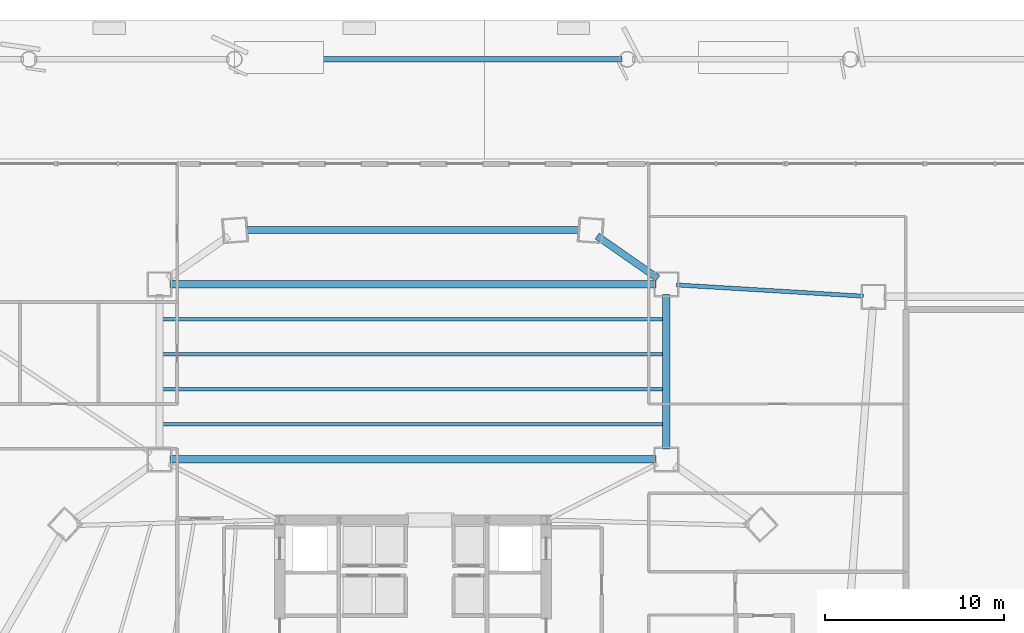
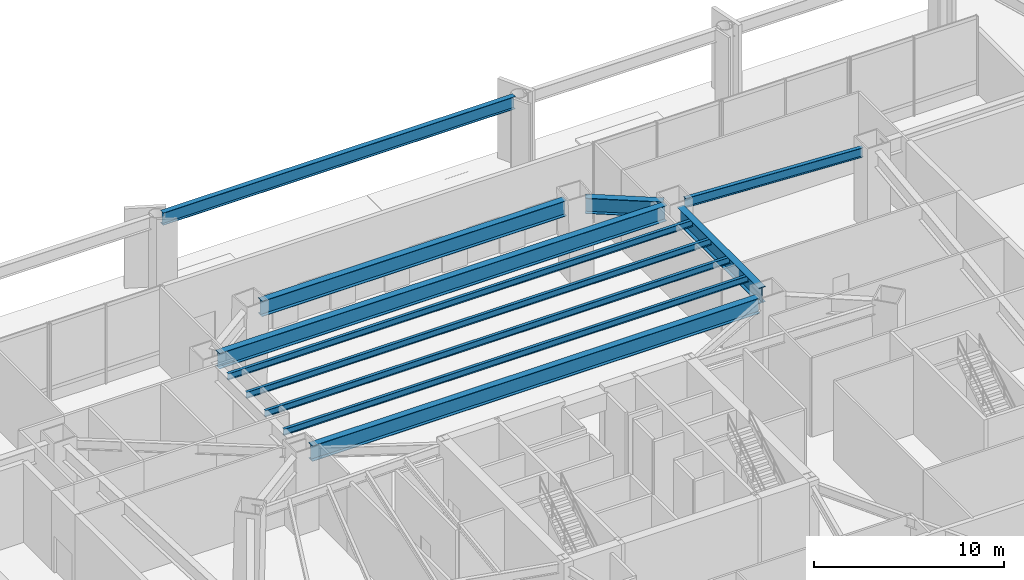
# One storey, part 6 of 19: 11 beams.
"""IFC4 building model written with IfcOpenShell, lengths in metres."""

from ifc_helpers import new_model, si_unit, direction, frame, origin, origin_2d, place, context, subcontext, project, spatial, i_section, extrude, source, transform, mapped, material, material_profile, profile_set, type_object, type_shapes, element, save


model = new_model("IFC4")

# Units and contexts
model_context = context("Model", 3, precision=1e-05, world=origin(), true_north=direction((0.0, 1.0)))
body_context = subcontext(model_context, "Body", "Model", "MODEL_VIEW")
ifc_project = project(units=[si_unit("LENGTHUNIT", "METRE"), si_unit("AREAUNIT", "SQUARE_METRE"), si_unit("VOLUMEUNIT", "CUBIC_METRE"), si_unit("PLANEANGLEUNIT", "RADIAN"), si_unit("MASSUNIT", "GRAM", prefix="KILO")], contexts=[model_context])

# Site, building, storey
site_placement = place(None, origin())
site = spatial("IfcSite", under=ifc_project, at=site_placement, CompositionType="ELEMENT")
building_placement = place(site_placement, origin())
building = spatial("IfcBuilding", under=site, at=building_placement, Name="Caelisora Broadcast Tower", CompositionType="ELEMENT")
storey_placement = place(building_placement, origin())
storey = spatial("IfcBuildingStorey", under=building, at=storey_placement, Name="L00", CompositionType="ELEMENT", Elevation=0.0)

# Beams
ifc_material_1 = material(Name="Steel Grade 350 (AS/NZS 3679.2)", Category="steel")
ifc_material_profile_1 = material_profile(ifc_material_1, i_section(OverallWidth=0.300048828125, OverallDepth=0.800048828125, WebThickness=0.013916015625, FlangeThickness=0.02392578125, at=origin_2d()), Name="Steel Grade 350 (AS/NZS 3679.2)")
ifc_profile_set_1 = profile_set([ifc_material_profile_1], Name="Steel Grade 350 (AS/NZS 3679.2)")
beam_type_1 = type_object("IfcBeamType", Name="PG02", PredefinedType="BEAM", material=ifc_profile_set_1)
shared_shape_1 = source(origin(), body_context, "Body", "SweptSolid", [
    extrude(i_section(OverallWidth=0.300048828125, OverallDepth=0.800048828125, WebThickness=0.013916015625, FlangeThickness=0.02392578125, at=origin_2d()), origin(), (0.0, 0.0, 1.0), 21.39990234375),
])
type_shapes(beam_type_1, [shared_shape_1])
beam_1_placement = place(storey_placement, frame((28.300048828125, 55.800048828125, 4.679931640625), z_axis=(1.0, 0.0, 0.0), x_axis=(0.0, 1.0, 0.0)))
element("IfcBeam", 1, at=beam_1_placement, inside=storey, type_object=beam_type_1, Name="L00 beam PG02", PredefinedType="BEAM", context=body_context, shape_type="MappedRepresentation", body=[
    mapped(shared_shape_1, transform((0.0, 0.0, 0.0), scale=1.0)),
])
ifc_material_2 = material(Name="Steel Grade 350 (AS/NZS 3679.1)", Category="steel")
ifc_material_profile_2 = material_profile(ifc_material_2, i_section(OverallWidth=0.22900390625, OverallDepth=0.611572265625, WebThickness=0.011962890625, FlangeThickness=0.01953125, at=origin_2d()), Name="Steel Grade 350 (AS/NZS 3679.1)")
ifc_profile_set_2 = profile_set([ifc_material_profile_2], Name="Steel Grade 350 (AS/NZS 3679.1)")
beam_type_2 = type_object("IfcBeamType", Name="PG03", PredefinedType="BEAM", material=ifc_profile_set_2)
shared_shape_2 = source(origin(), body_context, "Body", "SweptSolid", [
    extrude(i_section(OverallWidth=0.22900390625, OverallDepth=0.611572265625, WebThickness=0.011962890625, FlangeThickness=0.01953125, at=origin_2d()), origin(), (0.0, 0.0, 1.0), 10.472412109375),
])
type_shapes(beam_type_2, [shared_shape_2])
beam_2_placement = place(storey_placement, frame((52.767822265625, 43.1650390625, 4.774169921875), z_axis=(0.998188109477, -0.060170575018, 0.0), x_axis=(0.060170575018, 0.998188109477, 0.0)))
element("IfcBeam", 2, at=beam_2_placement, inside=storey, type_object=beam_type_2, Name="L00 beam PG03", PredefinedType="BEAM", context=body_context, shape_type="MappedRepresentation", body=[
    mapped(shared_shape_2, transform((0.0, 0.0, 0.0), scale=1.0)),
])
ifc_material_profile_3 = material_profile(ifc_material_1, i_section(OverallWidth=0.39990234375, OverallDepth=1.0, WebThickness=0.01611328125, FlangeThickness=0.028076171875, at=origin_2d()), Name="Steel Grade 350 (AS/NZS 3679.2)")
ifc_profile_set_3 = profile_set([ifc_material_profile_3], Name="Steel Grade 350 (AS/NZS 3679.2)")
beam_type_3 = type_object("IfcBeamType", Name="PG01", PredefinedType="BEAM", material=ifc_profile_set_3)
shared_shape_3 = source(origin(), body_context, "Body", "SweptSolid", [
    extrude(i_section(OverallWidth=0.39990234375, OverallDepth=1.0, WebThickness=0.01611328125, FlangeThickness=0.028076171875, at=origin_2d()), origin(), (0.0, 0.0, 1.0), 27.2177734375),
])
for number, where, z_axis, x_axis, name in (
    (3, (24.39111328125, 43.199951171875, 4.580078125), (1.0, 0.0, 0.0), (0.0, 1.0, 0.0), "L00 beam PG01"),
    (4, (24.39111328125, 33.39990234375, 4.580078125), (1.0, 0.0, 0.0), (0.0, 1.0, 0.0), "L00 beam PG01"),
):
    element("IfcBeam", number, at=place(storey_placement, frame(where, z_axis=z_axis, x_axis=x_axis)), inside=storey, type_object=beam_type_3, Name=name, PredefinedType="BEAM", context=body_context, shape_type="MappedRepresentation", body=[
        mapped(shared_shape_3, transform((0.0, 0.0, 0.0), scale=1.0)),
    ])
shared_shape_4 = source(origin(), body_context, "Body", "SweptSolid", [
    extrude(i_section(OverallWidth=0.39990234375, OverallDepth=1.0, WebThickness=0.01611328125, FlangeThickness=0.028076171875, at=origin_2d()), origin(), (0.0, 0.0, 1.0), 8.64013671875),
])
beam_3_placement = place(storey_placement, frame((52.18896484375, 33.97998046875, 4.580078125), z_axis=(0.0, 1.0, 0.0), x_axis=(-1.0, 0.0, 0.0)))
element("IfcBeam", 5, at=beam_3_placement, inside=storey, type_object=beam_type_3, Name="L00 beam PG01", PredefinedType="BEAM", context=body_context, shape_type="MappedRepresentation", body=[
    mapped(shared_shape_4, transform((0.0, 0.0, 0.0), scale=1.0)),
])
ifc_material_profile_4 = material_profile(ifc_material_2, i_section(OverallWidth=0.177978515625, OverallDepth=0.406494140625, WebThickness=0.0078125, FlangeThickness=0.0126953125, at=origin_2d()), Name="Steel Grade 350 (AS/NZS 3679.1)")
ifc_profile_set_4 = profile_set([ifc_material_profile_4], Name="Steel Grade 350 (AS/NZS 3679.1)")
beam_type_4 = type_object("IfcBeamType", Name="SB01", PredefinedType="JOIST", material=ifc_profile_set_4)
shared_shape_5 = source(origin(), body_context, "Body", "SweptSolid", [
    extrude(i_section(OverallWidth=0.177978515625, OverallDepth=0.406494140625, WebThickness=0.0078125, FlangeThickness=0.0126953125, at=origin_2d()), origin(), (0.0, 0.0, 1.0), 28.2578125),
])
type_shapes(beam_type_4, [shared_shape_5])
for number, where, z_axis, x_axis, name in (
    (6, (23.87109375, 35.360107421875, 4.876708984375), (1.0, 0.0, 0.0), (0.0, 1.0, 0.0), "L00 beam SB01"),
    (7, (23.87109375, 37.320068359375, 4.876708984375), (1.0, 0.0, 0.0), (0.0, 1.0, 0.0), "L00 beam SB01"),
    (8, (23.87109375, 39.280029296875, 4.876708984375), (1.0, 0.0, 0.0), (0.0, 1.0, 0.0), "L00 beam SB01"),
    (9, (23.87109375, 41.239990234375, 4.876708984375), (1.0, 0.0, 0.0), (0.0, 1.0, 0.0), "L00 beam SB01"),
):
    element("IfcBeam", number, at=place(storey_placement, frame(where, z_axis=z_axis, x_axis=x_axis)), inside=storey, type_object=beam_type_4, Name=name, PredefinedType="JOIST", context=body_context, shape_type="MappedRepresentation", body=[
        mapped(shared_shape_5, transform((0.0, 0.0, 0.0), scale=1.0)),
    ])
shared_shape_6 = source(origin(), body_context, "Body", "SweptSolid", [
    extrude(i_section(OverallWidth=0.39990234375, OverallDepth=1.0, WebThickness=0.01611328125, FlangeThickness=0.028076171875, at=origin_2d()), origin(), (0.0, 0.0, 1.0), 18.5234375),
])
beam_4_placement = place(storey_placement, frame((47.26171875, 46.23291015625, 4.580078125), z_axis=(-1.0, 0.0, 0.0), x_axis=(0.0, -1.0, 0.0)))
element("IfcBeam", 10, at=beam_4_placement, inside=storey, type_object=beam_type_3, Name="L00 beam PG01", PredefinedType="BEAM", context=body_context, shape_type="MappedRepresentation", body=[
    mapped(shared_shape_6, transform((0.0, 0.0, 0.0), scale=1.0)),
])
shared_shape_7 = source(origin(), body_context, "Body", "SweptSolid", [
    extrude(i_section(OverallWidth=0.39990234375, OverallDepth=1.0, WebThickness=0.01611328125, FlangeThickness=0.028076171875, at=origin_2d()), origin(), (0.0, 0.0, 1.0), 4.140625),
])
type_shapes(beam_type_3, [shared_shape_3, shared_shape_4, shared_shape_6, shared_shape_7])
beam_5_placement = place(storey_placement, frame((51.71337890625, 43.531982421875, 4.580078125), z_axis=(-0.820144970296, 0.572155772232, 0.0), x_axis=(-0.572155772232, -0.820144970296, 0.0)))
element("IfcBeam", 11, at=beam_5_placement, inside=storey, type_object=beam_type_3, Name="L00 beam PG01", PredefinedType="BEAM", context=body_context, shape_type="MappedRepresentation", body=[
    mapped(shared_shape_7, transform((0.0, 0.0, 0.0), scale=1.0)),
])

save(model, "model.ifc")
